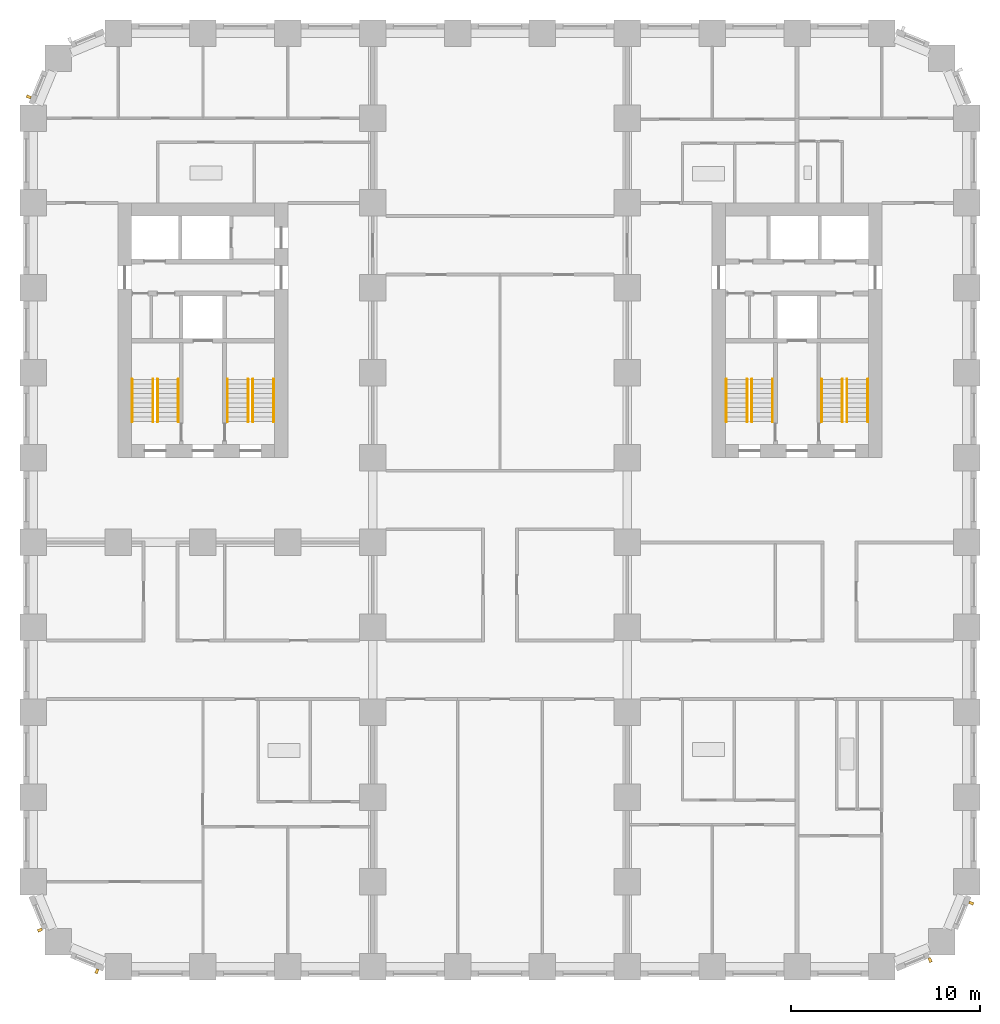
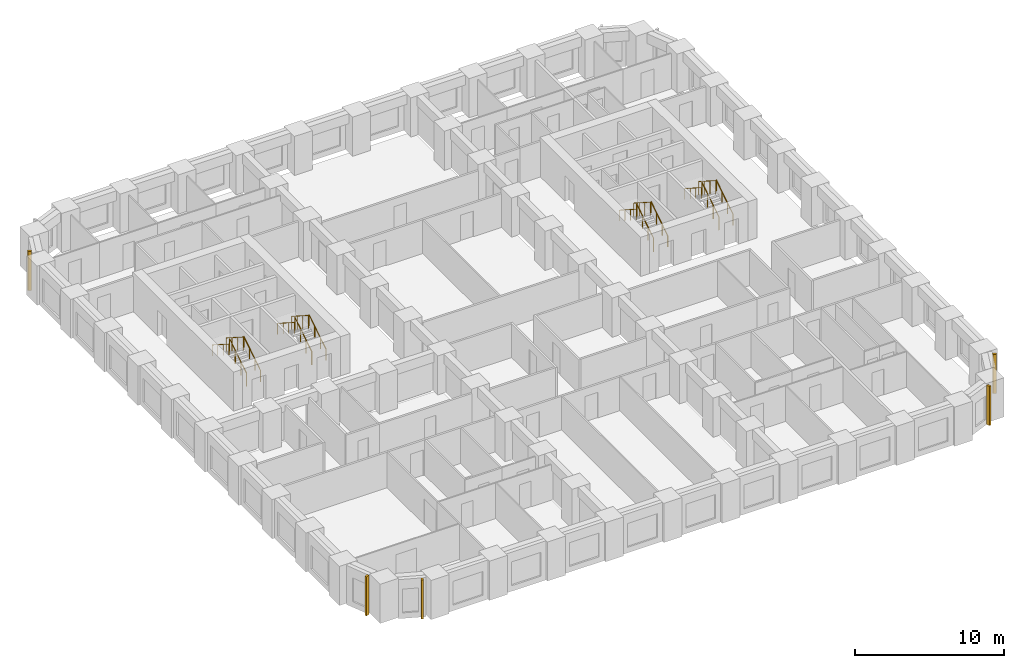
# One storey, part 10 of 12: 16 railings, 5 shading devices.
"""IFC4 building model written with IfcOpenShell, lengths in metres."""

from ifc_helpers import new_model, si_unit, direction, frame, origin, origin_2d, place, context, subcontext, project, spatial, rectangle, circle, extrude, material, type_object, element, save


model = new_model("IFC4")

# Units and contexts
model_context = context("Model", 3, precision=1e-05, world=origin(), true_north=direction((0.0, 1.0)))
body_context = subcontext(model_context, "Body", "Model", "MODEL_VIEW")
ifc_project = project(units=[si_unit("LENGTHUNIT", "METRE"), si_unit("AREAUNIT", "SQUARE_METRE"), si_unit("VOLUMEUNIT", "CUBIC_METRE"), si_unit("PLANEANGLEUNIT", "RADIAN"), si_unit("MASSUNIT", "GRAM", prefix="KILO")], contexts=[model_context])

# Site, building, storey
site_placement = place(None, origin())
site = spatial("IfcSite", under=ifc_project, at=site_placement, CompositionType="ELEMENT")
building_placement = place(site_placement, origin())
building = spatial("IfcBuilding", under=site, at=building_placement, Name="Girih Gate Residences", CompositionType="ELEMENT")
storey_placement = place(building_placement, frame((0.0, 0.0, 33.60009765625)))
storey = spatial("IfcBuildingStorey", under=building, at=storey_placement, Name="L07", CompositionType="ELEMENT", Elevation=33.60009765625)

# Shading devices
ifc_material_1 = material(Name="Precast concrete C50/60", Category="concrete")
shading_device_type = type_object("IfcShadingDeviceType", Name="Corner rib 150x250", PredefinedType="USERDEFINED", material=ifc_material_1)
for number, where, z_axis, x_axis, name in (
    (1, (0.35498046875, 1.9443359375, 0.0), (0.0, 0.0, 1.0), (0.382683432365, -0.923879532511, 0.0), "Corner rib SW0000_0045.0"),
    (2, (3.376220703125, -0.238037109375, 0.0), (0.0, 0.0, 1.0), (0.923879532511, -0.382683432365, 0.0), "Corner rib SW0013_0013.0"),
    (3, (47.5556640625, 0.35498046875, 0.0), (0.0, 0.0, 1.0), (0.923879532511, 0.382683432365, 0.0), "Corner rib SE0450_0000.0"),
    (4, (49.738037109375, 3.376220703125, 0.0), (0.0, 0.0, 1.0), (0.382683432365, 0.923879532511, 0.0), "Corner rib SE0482_0013.0"),
    (5, (-0.238037109375, 46.123779296875, 0.0), (0.0, 0.0, 1.0), (-0.382683432365, -0.923879532511, 0.0), "Corner rib NW0013_0482.0"),
):
    element("IfcShadingDevice", number, at=place(storey_placement, frame(where, z_axis=z_axis, x_axis=x_axis)), inside=storey, type_object=shading_device_type, Name=name, ObjectType="FIN", PredefinedType="USERDEFINED", context=body_context, shape_type="SweptSolid", body=[
        extrude(rectangle(XDim=0.14990234375, YDim=0.25, at=origin_2d()), origin(), (0.0, 0.0, 1.0), 3.199951171875),
    ])

# Railings
ifc_material_2 = material(Name="Stainless steel", Category="steel")
railing_type_1 = type_object("IfcRailingType", Name="Stair guard 1100", PredefinedType="GUARDRAIL", material=ifc_material_2)
railing_1_placement = place(storey_placement, frame((6.60009765625, 28.89990234375, 0.159912109375)))
element("IfcRailing", 6, at=railing_1_placement, inside=storey, type_object=railing_type_1, Name="L07 ST-W1 stair guard 1", PredefinedType="GUARDRAIL", context=body_context, shape_type="SweptSolid", body=[
    extrude(circle(Radius=0.02392578125, at=origin_2d()), frame((0.0, 0.0, 1.076171875), z_axis=(0.0, 0.842281359387, 0.539038135598), x_axis=(-1.0, 0.0, 0.0)), (0.0, 0.0, 1.0), 2.67138671875),
    extrude(circle(Radius=0.02099609375, at=origin_2d()), origin(), (0.0, 0.0, 1.0), 1.052001953125),
    extrude(circle(Radius=0.02099609375, at=origin_2d()), frame((0.0, 0.75, 0.47998046875)), (0.0, 0.0, 1.0), 1.052001953125),
    extrude(circle(Radius=0.02099609375, at=origin_2d()), frame((0.0, 1.5, 0.9599609375)), (0.0, 0.0, 1.0), 1.052001953125),
    extrude(circle(Radius=0.02099609375, at=origin_2d()), frame((0.0, 2.25, 1.43994140625)), (0.0, 0.0, 1.0), 1.052001953125),
])
railing_2_placement = place(storey_placement, frame((6.35009765625, 31.14990234375, 1.760009765625)))
element("IfcRailing", 7, at=railing_2_placement, inside=storey, type_object=railing_type_1, Name="L07 ST-W1 stair guard 2", PredefinedType="GUARDRAIL", context=body_context, shape_type="SweptSolid", body=[
    extrude(circle(Radius=0.02392578125, at=origin_2d()), frame((0.0, 0.0, 1.076171875), z_axis=(0.0, -0.842281359387, 0.539038135598), x_axis=(1.0, 0.0, 0.0)), (0.0, 0.0, 1.0), 2.67138671875),
    extrude(circle(Radius=0.02099609375, at=origin_2d()), origin(), (0.0, 0.0, 1.0), 1.052001953125),
    extrude(circle(Radius=0.02099609375, at=origin_2d()), frame((0.0, -0.75, 0.47998046875)), (0.0, 0.0, 1.0), 1.052001953125),
    extrude(circle(Radius=0.02099609375, at=origin_2d()), frame((0.0, -1.5, 0.9599609375)), (0.0, 0.0, 1.0), 1.052001953125),
    extrude(circle(Radius=0.02099609375, at=origin_2d()), frame((0.0, -2.25, 1.43994140625)), (0.0, 0.0, 1.0), 1.052001953125),
])
railing_3_placement = place(storey_placement, frame((11.64990234375, 28.89990234375, 0.159912109375)))
element("IfcRailing", 8, at=railing_3_placement, inside=storey, type_object=railing_type_1, Name="L07 ST-W2 stair guard 1", PredefinedType="GUARDRAIL", context=body_context, shape_type="SweptSolid", body=[
    extrude(circle(Radius=0.02392578125, at=origin_2d()), frame((0.0, 0.0, 1.076171875), z_axis=(0.0, 0.842281359387, 0.539038135598), x_axis=(-1.0, 0.0, 0.0)), (0.0, 0.0, 1.0), 2.67138671875),
    extrude(circle(Radius=0.02099609375, at=origin_2d()), origin(), (0.0, 0.0, 1.0), 1.052001953125),
    extrude(circle(Radius=0.02099609375, at=origin_2d()), frame((0.0, 0.75, 0.47998046875)), (0.0, 0.0, 1.0), 1.052001953125),
    extrude(circle(Radius=0.02099609375, at=origin_2d()), frame((0.0, 1.5, 0.9599609375)), (0.0, 0.0, 1.0), 1.052001953125),
    extrude(circle(Radius=0.02099609375, at=origin_2d()), frame((0.0, 2.25, 1.43994140625)), (0.0, 0.0, 1.0), 1.052001953125),
])
railing_4_placement = place(storey_placement, frame((11.39990234375, 31.14990234375, 1.760009765625)))
element("IfcRailing", 9, at=railing_4_placement, inside=storey, type_object=railing_type_1, Name="L07 ST-W2 stair guard 2", PredefinedType="GUARDRAIL", context=body_context, shape_type="SweptSolid", body=[
    extrude(circle(Radius=0.02392578125, at=origin_2d()), frame((0.0, 0.0, 1.076171875), z_axis=(0.0, -0.842281359387, 0.539038135598), x_axis=(1.0, 0.0, 0.0)), (0.0, 0.0, 1.0), 2.67138671875),
    extrude(circle(Radius=0.02099609375, at=origin_2d()), origin(), (0.0, 0.0, 1.0), 1.052001953125),
    extrude(circle(Radius=0.02099609375, at=origin_2d()), frame((0.0, -0.75, 0.47998046875)), (0.0, 0.0, 1.0), 1.052001953125),
    extrude(circle(Radius=0.02099609375, at=origin_2d()), frame((0.0, -1.5, 0.9599609375)), (0.0, 0.0, 1.0), 1.052001953125),
    extrude(circle(Radius=0.02099609375, at=origin_2d()), frame((0.0, -2.25, 1.43994140625)), (0.0, 0.0, 1.0), 1.052001953125),
])
railing_5_placement = place(storey_placement, frame((43.14990234375, 28.89990234375, 0.159912109375)))
element("IfcRailing", 10, at=railing_5_placement, inside=storey, type_object=railing_type_1, Name="L07 ST-E1 stair guard 1", PredefinedType="GUARDRAIL", context=body_context, shape_type="SweptSolid", body=[
    extrude(circle(Radius=0.02392578125, at=origin_2d()), frame((0.0, 0.0, 1.076171875), z_axis=(0.0, 0.842281359387, 0.539038135598), x_axis=(-1.0, 0.0, 0.0)), (0.0, 0.0, 1.0), 2.67138671875),
    extrude(circle(Radius=0.02099609375, at=origin_2d()), origin(), (0.0, 0.0, 1.0), 1.052001953125),
    extrude(circle(Radius=0.02099609375, at=origin_2d()), frame((0.0, 0.75, 0.47998046875)), (0.0, 0.0, 1.0), 1.052001953125),
    extrude(circle(Radius=0.02099609375, at=origin_2d()), frame((0.0, 1.5, 0.9599609375)), (0.0, 0.0, 1.0), 1.052001953125),
    extrude(circle(Radius=0.02099609375, at=origin_2d()), frame((0.0, 2.25, 1.43994140625)), (0.0, 0.0, 1.0), 1.052001953125),
])
railing_6_placement = place(storey_placement, frame((42.89990234375, 31.14990234375, 1.760009765625)))
element("IfcRailing", 11, at=railing_6_placement, inside=storey, type_object=railing_type_1, Name="L07 ST-E1 stair guard 2", PredefinedType="GUARDRAIL", context=body_context, shape_type="SweptSolid", body=[
    extrude(circle(Radius=0.02392578125, at=origin_2d()), frame((0.0, 0.0, 1.076171875), z_axis=(0.0, -0.842281359387, 0.539038135598), x_axis=(1.0, 0.0, 0.0)), (0.0, 0.0, 1.0), 2.67138671875),
    extrude(circle(Radius=0.02099609375, at=origin_2d()), origin(), (0.0, 0.0, 1.0), 1.052001953125),
    extrude(circle(Radius=0.02099609375, at=origin_2d()), frame((0.0, -0.75, 0.47998046875)), (0.0, 0.0, 1.0), 1.052001953125),
    extrude(circle(Radius=0.02099609375, at=origin_2d()), frame((0.0, -1.5, 0.9599609375)), (0.0, 0.0, 1.0), 1.052001953125),
    extrude(circle(Radius=0.02099609375, at=origin_2d()), frame((0.0, -2.25, 1.43994140625)), (0.0, 0.0, 1.0), 1.052001953125),
])
railing_7_placement = place(storey_placement, frame((38.10009765625, 28.89990234375, 0.159912109375)))
element("IfcRailing", 12, at=railing_7_placement, inside=storey, type_object=railing_type_1, Name="L07 ST-E2 stair guard 1", PredefinedType="GUARDRAIL", context=body_context, shape_type="SweptSolid", body=[
    extrude(circle(Radius=0.02392578125, at=origin_2d()), frame((0.0, 0.0, 1.076171875), z_axis=(0.0, 0.842281359387, 0.539038135598), x_axis=(-1.0, 0.0, 0.0)), (0.0, 0.0, 1.0), 2.67138671875),
    extrude(circle(Radius=0.02099609375, at=origin_2d()), origin(), (0.0, 0.0, 1.0), 1.052001953125),
    extrude(circle(Radius=0.02099609375, at=origin_2d()), frame((0.0, 0.75, 0.47998046875)), (0.0, 0.0, 1.0), 1.052001953125),
    extrude(circle(Radius=0.02099609375, at=origin_2d()), frame((0.0, 1.5, 0.9599609375)), (0.0, 0.0, 1.0), 1.052001953125),
    extrude(circle(Radius=0.02099609375, at=origin_2d()), frame((0.0, 2.25, 1.43994140625)), (0.0, 0.0, 1.0), 1.052001953125),
])
railing_8_placement = place(storey_placement, frame((37.85009765625, 31.14990234375, 1.760009765625)))
element("IfcRailing", 13, at=railing_8_placement, inside=storey, type_object=railing_type_1, Name="L07 ST-E2 stair guard 2", PredefinedType="GUARDRAIL", context=body_context, shape_type="SweptSolid", body=[
    extrude(circle(Radius=0.02392578125, at=origin_2d()), frame((0.0, 0.0, 1.076171875), z_axis=(0.0, -0.842281359387, 0.539038135598), x_axis=(1.0, 0.0, 0.0)), (0.0, 0.0, 1.0), 2.67138671875),
    extrude(circle(Radius=0.02099609375, at=origin_2d()), origin(), (0.0, 0.0, 1.0), 1.052001953125),
    extrude(circle(Radius=0.02099609375, at=origin_2d()), frame((0.0, -0.75, 0.47998046875)), (0.0, 0.0, 1.0), 1.052001953125),
    extrude(circle(Radius=0.02099609375, at=origin_2d()), frame((0.0, -1.5, 0.9599609375)), (0.0, 0.0, 1.0), 1.052001953125),
    extrude(circle(Radius=0.02099609375, at=origin_2d()), frame((0.0, -2.25, 1.43994140625)), (0.0, 0.0, 1.0), 1.052001953125),
])
railing_type_2 = type_object("IfcRailingType", Name="Stair handrail 900", PredefinedType="HANDRAIL", material=ifc_material_2)
railing_9_placement = place(storey_placement, frame((7.699951171875, 28.89990234375, 0.159912109375)))
element("IfcRailing", 14, at=railing_9_placement, inside=storey, type_object=railing_type_2, Name="L07 ST-W1 stair handrail 1", PredefinedType="HANDRAIL", context=body_context, shape_type="SweptSolid", body=[
    extrude(circle(Radius=0.02392578125, at=origin_2d()), frame((0.0, 0.0, 0.8857421875), z_axis=(0.0, 0.842281359387, 0.539038135598), x_axis=(-1.0, 0.0, 0.0)), (0.0, 0.0, 1.0), 2.67138671875),
    extrude(circle(Radius=0.02099609375, at=origin_2d()), origin(), (0.0, 0.0, 1.0), 0.86181640625),
    extrude(circle(Radius=0.02099609375, at=origin_2d()), frame((0.0, 0.75, 0.47998046875)), (0.0, 0.0, 1.0), 0.86181640625),
    extrude(circle(Radius=0.02099609375, at=origin_2d()), frame((0.0, 1.5, 0.9599609375)), (0.0, 0.0, 1.0), 0.86181640625),
    extrude(circle(Radius=0.02099609375, at=origin_2d()), frame((0.0, 2.25, 1.43994140625)), (0.0, 0.0, 1.0), 0.86181640625),
])
railing_10_placement = place(storey_placement, frame((5.25, 31.14990234375, 1.760009765625)))
element("IfcRailing", 15, at=railing_10_placement, inside=storey, type_object=railing_type_2, Name="L07 ST-W1 stair handrail 2", PredefinedType="HANDRAIL", context=body_context, shape_type="SweptSolid", body=[
    extrude(circle(Radius=0.02392578125, at=origin_2d()), frame((0.0, 0.0, 0.8857421875), z_axis=(0.0, -0.842281359387, 0.539038135598), x_axis=(1.0, 0.0, 0.0)), (0.0, 0.0, 1.0), 2.67138671875),
    extrude(circle(Radius=0.02099609375, at=origin_2d()), origin(), (0.0, 0.0, 1.0), 0.86181640625),
    extrude(circle(Radius=0.02099609375, at=origin_2d()), frame((0.0, -0.75, 0.47998046875)), (0.0, 0.0, 1.0), 0.86181640625),
    extrude(circle(Radius=0.02099609375, at=origin_2d()), frame((0.0, -1.5, 0.9599609375)), (0.0, 0.0, 1.0), 0.86181640625),
    extrude(circle(Radius=0.02099609375, at=origin_2d()), frame((0.0, -2.25, 1.43994140625)), (0.0, 0.0, 1.0), 0.86181640625),
])
railing_11_placement = place(storey_placement, frame((12.75, 28.89990234375, 0.159912109375)))
element("IfcRailing", 16, at=railing_11_placement, inside=storey, type_object=railing_type_2, Name="L07 ST-W2 stair handrail 1", PredefinedType="HANDRAIL", context=body_context, shape_type="SweptSolid", body=[
    extrude(circle(Radius=0.02392578125, at=origin_2d()), frame((0.0, 0.0, 0.8857421875), z_axis=(0.0, 0.842281359387, 0.539038135598), x_axis=(-1.0, 0.0, 0.0)), (0.0, 0.0, 1.0), 2.67138671875),
    extrude(circle(Radius=0.02099609375, at=origin_2d()), origin(), (0.0, 0.0, 1.0), 0.86181640625),
    extrude(circle(Radius=0.02099609375, at=origin_2d()), frame((0.0, 0.75, 0.47998046875)), (0.0, 0.0, 1.0), 0.86181640625),
    extrude(circle(Radius=0.02099609375, at=origin_2d()), frame((0.0, 1.5, 0.9599609375)), (0.0, 0.0, 1.0), 0.86181640625),
    extrude(circle(Radius=0.02099609375, at=origin_2d()), frame((0.0, 2.25, 1.43994140625)), (0.0, 0.0, 1.0), 0.86181640625),
])
railing_12_placement = place(storey_placement, frame((10.300048828125, 31.14990234375, 1.760009765625)))
element("IfcRailing", 17, at=railing_12_placement, inside=storey, type_object=railing_type_2, Name="L07 ST-W2 stair handrail 2", PredefinedType="HANDRAIL", context=body_context, shape_type="SweptSolid", body=[
    extrude(circle(Radius=0.02392578125, at=origin_2d()), frame((0.0, 0.0, 0.8857421875), z_axis=(0.0, -0.842281359387, 0.539038135598), x_axis=(1.0, 0.0, 0.0)), (0.0, 0.0, 1.0), 2.67138671875),
    extrude(circle(Radius=0.02099609375, at=origin_2d()), origin(), (0.0, 0.0, 1.0), 0.86181640625),
    extrude(circle(Radius=0.02099609375, at=origin_2d()), frame((0.0, -0.75, 0.47998046875)), (0.0, 0.0, 1.0), 0.86181640625),
    extrude(circle(Radius=0.02099609375, at=origin_2d()), frame((0.0, -1.5, 0.9599609375)), (0.0, 0.0, 1.0), 0.86181640625),
    extrude(circle(Radius=0.02099609375, at=origin_2d()), frame((0.0, -2.25, 1.43994140625)), (0.0, 0.0, 1.0), 0.86181640625),
])
railing_13_placement = place(storey_placement, frame((44.25, 28.89990234375, 0.159912109375)))
element("IfcRailing", 18, at=railing_13_placement, inside=storey, type_object=railing_type_2, Name="L07 ST-E1 stair handrail 1", PredefinedType="HANDRAIL", context=body_context, shape_type="SweptSolid", body=[
    extrude(circle(Radius=0.02392578125, at=origin_2d()), frame((0.0, 0.0, 0.8857421875), z_axis=(0.0, 0.842281359387, 0.539038135598), x_axis=(-1.0, 0.0, 0.0)), (0.0, 0.0, 1.0), 2.67138671875),
    extrude(circle(Radius=0.02099609375, at=origin_2d()), origin(), (0.0, 0.0, 1.0), 0.86181640625),
    extrude(circle(Radius=0.02099609375, at=origin_2d()), frame((0.0, 0.75, 0.47998046875)), (0.0, 0.0, 1.0), 0.86181640625),
    extrude(circle(Radius=0.02099609375, at=origin_2d()), frame((0.0, 1.5, 0.9599609375)), (0.0, 0.0, 1.0), 0.86181640625),
    extrude(circle(Radius=0.02099609375, at=origin_2d()), frame((0.0, 2.25, 1.43994140625)), (0.0, 0.0, 1.0), 0.86181640625),
])
railing_14_placement = place(storey_placement, frame((41.800048828125, 31.14990234375, 1.760009765625)))
element("IfcRailing", 19, at=railing_14_placement, inside=storey, type_object=railing_type_2, Name="L07 ST-E1 stair handrail 2", PredefinedType="HANDRAIL", context=body_context, shape_type="SweptSolid", body=[
    extrude(circle(Radius=0.02392578125, at=origin_2d()), frame((0.0, 0.0, 0.8857421875), z_axis=(0.0, -0.842281359387, 0.539038135598), x_axis=(1.0, 0.0, 0.0)), (0.0, 0.0, 1.0), 2.67138671875),
    extrude(circle(Radius=0.02099609375, at=origin_2d()), origin(), (0.0, 0.0, 1.0), 0.86181640625),
    extrude(circle(Radius=0.02099609375, at=origin_2d()), frame((0.0, -0.75, 0.47998046875)), (0.0, 0.0, 1.0), 0.86181640625),
    extrude(circle(Radius=0.02099609375, at=origin_2d()), frame((0.0, -1.5, 0.9599609375)), (0.0, 0.0, 1.0), 0.86181640625),
    extrude(circle(Radius=0.02099609375, at=origin_2d()), frame((0.0, -2.25, 1.43994140625)), (0.0, 0.0, 1.0), 0.86181640625),
])
railing_15_placement = place(storey_placement, frame((39.199951171875, 28.89990234375, 0.159912109375)))
element("IfcRailing", 20, at=railing_15_placement, inside=storey, type_object=railing_type_2, Name="L07 ST-E2 stair handrail 1", PredefinedType="HANDRAIL", context=body_context, shape_type="SweptSolid", body=[
    extrude(circle(Radius=0.02392578125, at=origin_2d()), frame((0.0, 0.0, 0.8857421875), z_axis=(0.0, 0.842281359387, 0.539038135598), x_axis=(-1.0, 0.0, 0.0)), (0.0, 0.0, 1.0), 2.67138671875),
    extrude(circle(Radius=0.02099609375, at=origin_2d()), origin(), (0.0, 0.0, 1.0), 0.86181640625),
    extrude(circle(Radius=0.02099609375, at=origin_2d()), frame((0.0, 0.75, 0.47998046875)), (0.0, 0.0, 1.0), 0.86181640625),
    extrude(circle(Radius=0.02099609375, at=origin_2d()), frame((0.0, 1.5, 0.9599609375)), (0.0, 0.0, 1.0), 0.86181640625),
    extrude(circle(Radius=0.02099609375, at=origin_2d()), frame((0.0, 2.25, 1.43994140625)), (0.0, 0.0, 1.0), 0.86181640625),
])
railing_16_placement = place(storey_placement, frame((36.75, 31.14990234375, 1.760009765625)))
element("IfcRailing", 21, at=railing_16_placement, inside=storey, type_object=railing_type_2, Name="L07 ST-E2 stair handrail 2", PredefinedType="HANDRAIL", context=body_context, shape_type="SweptSolid", body=[
    extrude(circle(Radius=0.02392578125, at=origin_2d()), frame((0.0, 0.0, 0.8857421875), z_axis=(0.0, -0.842281359387, 0.539038135598), x_axis=(1.0, 0.0, 0.0)), (0.0, 0.0, 1.0), 2.67138671875),
    extrude(circle(Radius=0.02099609375, at=origin_2d()), origin(), (0.0, 0.0, 1.0), 0.86181640625),
    extrude(circle(Radius=0.02099609375, at=origin_2d()), frame((0.0, -0.75, 0.47998046875)), (0.0, 0.0, 1.0), 0.86181640625),
    extrude(circle(Radius=0.02099609375, at=origin_2d()), frame((0.0, -1.5, 0.9599609375)), (0.0, 0.0, 1.0), 0.86181640625),
    extrude(circle(Radius=0.02099609375, at=origin_2d()), frame((0.0, -2.25, 1.43994140625)), (0.0, 0.0, 1.0), 0.86181640625),
])

save(model, "model.ifc")
